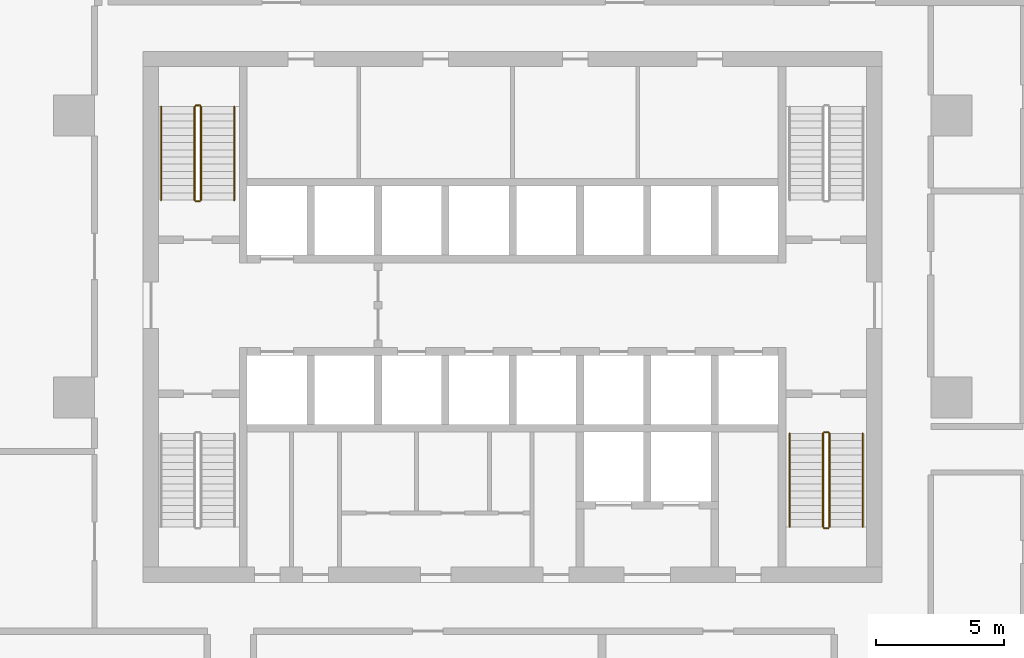
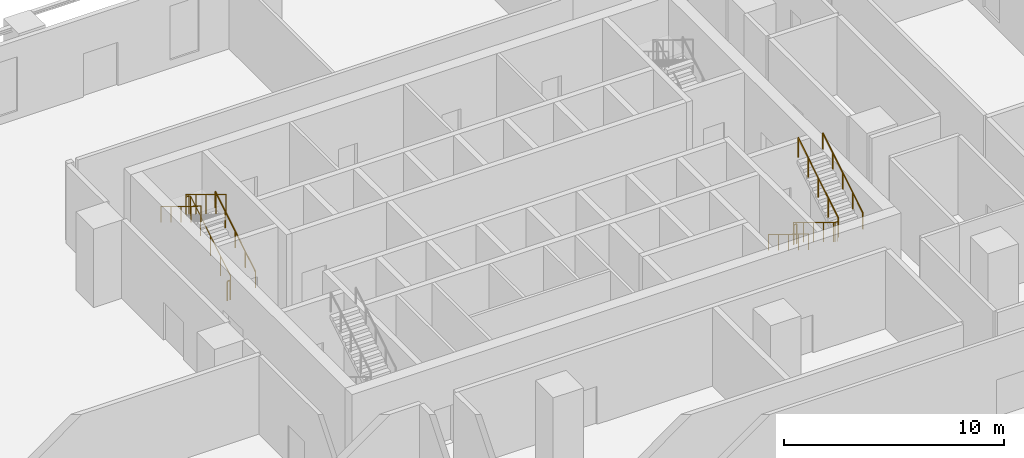
# One storey, part 13 of 15: 10 railings.
"""IFC4 building model written with IfcOpenShell, lengths in metres."""

from ifc_helpers import new_model, si_unit, direction, frame, origin, origin_2d, place, context, subcontext, project, spatial, circle, extrude, material, type_object, element, save


model = new_model("IFC4")

# Units and contexts
model_context = context("Model", 3, precision=1e-05, world=origin(), true_north=direction((0.0, 1.0)))
body_context = subcontext(model_context, "Body", "Model", "MODEL_VIEW")
ifc_project = project(units=[si_unit("LENGTHUNIT", "METRE"), si_unit("AREAUNIT", "SQUARE_METRE"), si_unit("VOLUMEUNIT", "CUBIC_METRE"), si_unit("PLANEANGLEUNIT", "RADIAN"), si_unit("MASSUNIT", "GRAM", prefix="KILO")], contexts=[model_context])

# Site, building, storey
site_placement = place(None, origin())
site = spatial("IfcSite", under=ifc_project, at=site_placement, CompositionType="ELEMENT")
building_placement = place(site_placement, origin())
building = spatial("IfcBuilding", under=site, at=building_placement, Name="Mopane Tessera Tower", CompositionType="ELEMENT")
storey_placement = place(building_placement, frame((0.0, 0.0, 64.60009765625)))
storey = spatial("IfcBuildingStorey", under=building, at=storey_placement, Name="L12", CompositionType="ELEMENT", Elevation=64.60009765625)

# Railings
ifc_material_1 = material(Name="Powder-coated steel balustrade", Category="steel")
railing_type_1 = type_object("IfcRailingType", Name="Escape stair guard 1100 mm", PredefinedType="GUARDRAIL", material=ifc_material_1)
railing_1_placement = place(storey_placement, frame((-12.14990234375, 7.699951171875, 0.17138671875)))
element("IfcRailing", 1, at=railing_1_placement, inside=storey, type_object=railing_type_1, Name="L12 ST2 stair guard 1", PredefinedType="GUARDRAIL", context=body_context, shape_type="SweptSolid", body=[
    extrude(circle(Radius=0.02392578125, at=origin_2d()), frame((0.0, 0.0, 1.076171875), z_axis=(0.0, 0.852865859571, 0.52213008492), x_axis=(-1.0, 0.0, 0.0)), (0.0, 0.0, 1.0), 4.26806640625),
    extrude(circle(Radius=0.02392578125, at=origin_2d()), frame((0.0, 3.64013671875, 3.3046875), z_axis=(-0.708833529934, 0.705375805398, 0.0), x_axis=(-0.705375805398, -0.708833529934, 0.0)), (0.0, 0.0, 1.0), 0.070556640625),
    extrude(circle(Radius=0.02392578125, at=origin_2d()), frame((-0.050048828125, 3.68994140625, 3.3046875), z_axis=(-1.0, 0.0, 0.0), x_axis=(0.0, -1.0, 0.0)), (0.0, 0.0, 1.0), 0.150146484375),
    extrude(circle(Radius=0.02099609375, at=origin_2d()), origin(), (0.0, 0.0, 1.0), 1.052001953125),
    extrude(circle(Radius=0.02099609375, at=origin_2d()), frame((0.0, 0.91015625, 0.55712890625)), (0.0, 0.0, 1.0), 1.052001953125),
    extrude(circle(Radius=0.02099609375, at=origin_2d()), frame((0.0, 1.820068359375, 1.1142578125)), (0.0, 0.0, 1.0), 1.052001953125),
    extrude(circle(Radius=0.02099609375, at=origin_2d()), frame((0.0, 2.72998046875, 1.67138671875)), (0.0, 0.0, 1.0), 1.052001953125),
    extrude(circle(Radius=0.02099609375, at=origin_2d()), frame((0.0, 3.64013671875, 2.228515625)), (0.0, 0.0, 1.0), 1.052001953125),
    extrude(circle(Radius=0.02099609375, at=origin_2d()), frame((-0.050048828125, 3.68994140625, 2.228515625)), (0.0, 0.0, 1.0), 1.052001953125),
    extrude(circle(Radius=0.02099609375, at=origin_2d()), frame((-0.2001953125, 3.68994140625, 2.228515625)), (0.0, 0.0, 1.0), 1.052001953125),
])
railing_2_placement = place(storey_placement, frame((-12.39990234375, 11.340087890625, 2.5712890625)))
element("IfcRailing", 2, at=railing_2_placement, inside=storey, type_object=railing_type_1, Name="L12 ST2 stair guard 2", PredefinedType="GUARDRAIL", context=body_context, shape_type="SweptSolid", body=[
    extrude(circle(Radius=0.02392578125, at=origin_2d()), frame((0.0, 0.0, 1.076171875), z_axis=(0.0, -0.852865859571, 0.52213008492), x_axis=(1.0, 0.0, 0.0)), (0.0, 0.0, 1.0), 4.26806640625),
    extrude(circle(Radius=0.02099609375, at=origin_2d()), origin(), (0.0, 0.0, 1.0), 1.052001953125),
    extrude(circle(Radius=0.02099609375, at=origin_2d()), frame((0.0, -0.91015625, 0.55712890625)), (0.0, 0.0, 1.0), 1.052001953125),
    extrude(circle(Radius=0.02099609375, at=origin_2d()), frame((0.0, -1.820068359375, 1.1142578125)), (0.0, 0.0, 1.0), 1.052001953125),
    extrude(circle(Radius=0.02099609375, at=origin_2d()), frame((0.0, -2.72998046875, 1.67138671875)), (0.0, 0.0, 1.0), 1.052001953125),
    extrude(circle(Radius=0.02099609375, at=origin_2d()), frame((0.0, -3.64013671875, 2.228515625)), (0.0, 0.0, 1.0), 1.052001953125),
])
railing_3_placement = place(storey_placement, frame((-12.199951171875, 7.64990234375, 0.0)))
element("IfcRailing", 3, at=railing_3_placement, inside=storey, type_object=railing_type_1, Name="L12 ST2 stair guard 3", PredefinedType="GUARDRAIL", context=body_context, shape_type="SweptSolid", body=[
    extrude(circle(Radius=0.02392578125, at=origin_2d()), frame((0.0, 0.0, 1.076171875), z_axis=(-1.0, 0.0, 0.0), x_axis=(0.0, -1.0, 0.0)), (0.0, 0.0, 1.0), 0.150146484375),
    extrude(circle(Radius=0.02099609375, at=origin_2d()), origin(), (0.0, 0.0, 1.0), 1.052001953125),
    extrude(circle(Radius=0.02099609375, at=origin_2d()), frame((-0.150146484375, 0.0, 0.0)), (0.0, 0.0, 1.0), 1.052001953125),
])
railing_4_placement = place(storey_placement, frame((12.10009765625, -1.39990234375, 0.17138671875)))
element("IfcRailing", 4, at=railing_4_placement, inside=storey, type_object=railing_type_1, Name="L12 ST3 stair guard 1", PredefinedType="GUARDRAIL", context=body_context, shape_type="SweptSolid", body=[
    extrude(circle(Radius=0.02392578125, at=origin_2d()), frame((0.0, 0.0, 1.076171875), z_axis=(0.0, -0.852865859571, 0.52213008492), x_axis=(1.0, 0.0, 0.0)), (0.0, 0.0, 1.0), 4.26806640625),
    extrude(circle(Radius=0.02392578125, at=origin_2d()), frame((0.0, -3.64013671875, 3.3046875), z_axis=(0.705375805398, -0.708833529934, 0.0), x_axis=(0.708833529934, 0.705375805398, 0.0)), (0.0, 0.0, 1.0), 0.070556640625),
    extrude(circle(Radius=0.02392578125, at=origin_2d()), frame((0.0498046875, -3.690185546875, 3.3046875), z_axis=(1.0, 0.0, 0.0), x_axis=(0.0, 1.0, 0.0)), (0.0, 0.0, 1.0), 0.150146484375),
    extrude(circle(Radius=0.02099609375, at=origin_2d()), origin(), (0.0, 0.0, 1.0), 1.052001953125),
    extrude(circle(Radius=0.02099609375, at=origin_2d()), frame((0.0, -0.91015625, 0.55712890625)), (0.0, 0.0, 1.0), 1.052001953125),
    extrude(circle(Radius=0.02099609375, at=origin_2d()), frame((0.0, -1.820068359375, 1.1142578125)), (0.0, 0.0, 1.0), 1.052001953125),
    extrude(circle(Radius=0.02099609375, at=origin_2d()), frame((0.0, -2.72998046875, 1.67138671875)), (0.0, 0.0, 1.0), 1.052001953125),
    extrude(circle(Radius=0.02099609375, at=origin_2d()), frame((0.0, -3.64013671875, 2.228515625)), (0.0, 0.0, 1.0), 1.052001953125),
    extrude(circle(Radius=0.02099609375, at=origin_2d()), frame((0.0498046875, -3.690185546875, 2.228515625)), (0.0, 0.0, 1.0), 1.052001953125),
    extrude(circle(Radius=0.02099609375, at=origin_2d()), frame((0.199951171875, -3.690185546875, 2.228515625)), (0.0, 0.0, 1.0), 1.052001953125),
])
railing_5_placement = place(storey_placement, frame((12.35009765625, -5.0400390625, 2.5712890625)))
element("IfcRailing", 5, at=railing_5_placement, inside=storey, type_object=railing_type_1, Name="L12 ST3 stair guard 2", PredefinedType="GUARDRAIL", context=body_context, shape_type="SweptSolid", body=[
    extrude(circle(Radius=0.02392578125, at=origin_2d()), frame((0.0, 0.0, 1.076171875), z_axis=(0.0, 0.852865859571, 0.52213008492), x_axis=(-1.0, 0.0, 0.0)), (0.0, 0.0, 1.0), 4.26806640625),
    extrude(circle(Radius=0.02099609375, at=origin_2d()), origin(), (0.0, 0.0, 1.0), 1.052001953125),
    extrude(circle(Radius=0.02099609375, at=origin_2d()), frame((0.0, 0.91015625, 0.55712890625)), (0.0, 0.0, 1.0), 1.052001953125),
    extrude(circle(Radius=0.02099609375, at=origin_2d()), frame((0.0, 1.820068359375, 1.1142578125)), (0.0, 0.0, 1.0), 1.052001953125),
    extrude(circle(Radius=0.02099609375, at=origin_2d()), frame((0.0, 2.72998046875, 1.67138671875)), (0.0, 0.0, 1.0), 1.052001953125),
    extrude(circle(Radius=0.02099609375, at=origin_2d()), frame((0.0, 3.64013671875, 2.228515625)), (0.0, 0.0, 1.0), 1.052001953125),
])
railing_6_placement = place(storey_placement, frame((12.14990234375, -1.35009765625, 0.0)))
element("IfcRailing", 6, at=railing_6_placement, inside=storey, type_object=railing_type_1, Name="L12 ST3 stair guard 3", PredefinedType="GUARDRAIL", context=body_context, shape_type="SweptSolid", body=[
    extrude(circle(Radius=0.02392578125, at=origin_2d()), frame((0.0, 0.0, 1.076171875), z_axis=(1.0, 0.0, 0.0), x_axis=(0.0, 1.0, 0.0)), (0.0, 0.0, 1.0), 0.150146484375),
    extrude(circle(Radius=0.02099609375, at=origin_2d()), origin(), (0.0, 0.0, 1.0), 1.052001953125),
    extrude(circle(Radius=0.02099609375, at=origin_2d()), frame((0.150146484375, 0.0, 0.0)), (0.0, 0.0, 1.0), 1.052001953125),
])
ifc_material_2 = material(Name="Powder-coated steel balustrade", Category="steel")
railing_type_2 = type_object("IfcRailingType", Name="Escape stair handrail 900 mm", PredefinedType="HANDRAIL", material=ifc_material_2)
railing_7_placement = place(storey_placement, frame((-10.85009765625, 7.699951171875, 0.17138671875)))
element("IfcRailing", 7, at=railing_7_placement, inside=storey, type_object=railing_type_2, Name="L12 ST2 stair handrail 1", PredefinedType="HANDRAIL", context=body_context, shape_type="SweptSolid", body=[
    extrude(circle(Radius=0.02392578125, at=origin_2d()), frame((0.0, 0.0, 0.8759765625), z_axis=(0.0, 0.852865859571, 0.52213008492), x_axis=(-1.0, 0.0, 0.0)), (0.0, 0.0, 1.0), 4.26806640625),
    extrude(circle(Radius=0.02099609375, at=origin_2d()), origin(), (0.0, 0.0, 1.0), 0.851806640625),
    extrude(circle(Radius=0.02099609375, at=origin_2d()), frame((0.0, 0.91015625, 0.55712890625)), (0.0, 0.0, 1.0), 0.851806640625),
    extrude(circle(Radius=0.02099609375, at=origin_2d()), frame((0.0, 1.820068359375, 1.1142578125)), (0.0, 0.0, 1.0), 0.851806640625),
    extrude(circle(Radius=0.02099609375, at=origin_2d()), frame((0.0, 2.72998046875, 1.67138671875)), (0.0, 0.0, 1.0), 0.851806640625),
    extrude(circle(Radius=0.02099609375, at=origin_2d()), frame((0.0, 3.64013671875, 2.228515625)), (0.0, 0.0, 1.0), 0.851806640625),
])
for number, where, name in (
    (8, (-13.699951171875, 11.340087890625, 2.5712890625), "L12 ST2 stair handrail 2"),
    (9, (10.800048828125, -1.39990234375, 0.17138671875), "L12 ST3 stair handrail 1"),
):
    element("IfcRailing", number, at=place(storey_placement, frame(where)), inside=storey, type_object=railing_type_2, Name=name, PredefinedType="HANDRAIL", context=body_context, shape_type="SweptSolid", body=[
        extrude(circle(Radius=0.02392578125, at=origin_2d()), frame((0.0, 0.0, 0.8759765625), z_axis=(0.0, -0.852865859571, 0.52213008492), x_axis=(1.0, 0.0, 0.0)), (0.0, 0.0, 1.0), 4.26806640625),
        extrude(circle(Radius=0.02099609375, at=origin_2d()), origin(), (0.0, 0.0, 1.0), 0.851806640625),
        extrude(circle(Radius=0.02099609375, at=origin_2d()), frame((0.0, -0.91015625, 0.55712890625)), (0.0, 0.0, 1.0), 0.851806640625),
        extrude(circle(Radius=0.02099609375, at=origin_2d()), frame((0.0, -1.820068359375, 1.1142578125)), (0.0, 0.0, 1.0), 0.851806640625),
        extrude(circle(Radius=0.02099609375, at=origin_2d()), frame((0.0, -2.72998046875, 1.67138671875)), (0.0, 0.0, 1.0), 0.851806640625),
        extrude(circle(Radius=0.02099609375, at=origin_2d()), frame((0.0, -3.64013671875, 2.228515625)), (0.0, 0.0, 1.0), 0.851806640625),
    ])
railing_8_placement = place(storey_placement, frame((13.64990234375, -5.0400390625, 2.5712890625)))
element("IfcRailing", 10, at=railing_8_placement, inside=storey, type_object=railing_type_2, Name="L12 ST3 stair handrail 2", PredefinedType="HANDRAIL", context=body_context, shape_type="SweptSolid", body=[
    extrude(circle(Radius=0.02392578125, at=origin_2d()), frame((0.0, 0.0, 0.8759765625), z_axis=(0.0, 0.852865859571, 0.52213008492), x_axis=(-1.0, 0.0, 0.0)), (0.0, 0.0, 1.0), 4.26806640625),
    extrude(circle(Radius=0.02099609375, at=origin_2d()), origin(), (0.0, 0.0, 1.0), 0.851806640625),
    extrude(circle(Radius=0.02099609375, at=origin_2d()), frame((0.0, 0.91015625, 0.55712890625)), (0.0, 0.0, 1.0), 0.851806640625),
    extrude(circle(Radius=0.02099609375, at=origin_2d()), frame((0.0, 1.820068359375, 1.1142578125)), (0.0, 0.0, 1.0), 0.851806640625),
    extrude(circle(Radius=0.02099609375, at=origin_2d()), frame((0.0, 2.72998046875, 1.67138671875)), (0.0, 0.0, 1.0), 0.851806640625),
    extrude(circle(Radius=0.02099609375, at=origin_2d()), frame((0.0, 3.64013671875, 2.228515625)), (0.0, 0.0, 1.0), 0.851806640625),
])

save(model, "model.ifc")
